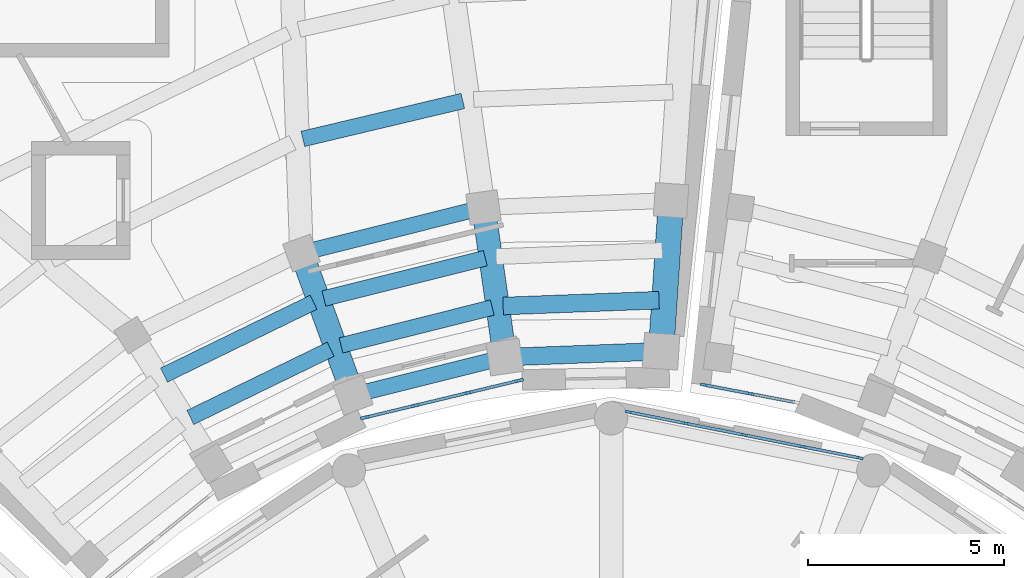
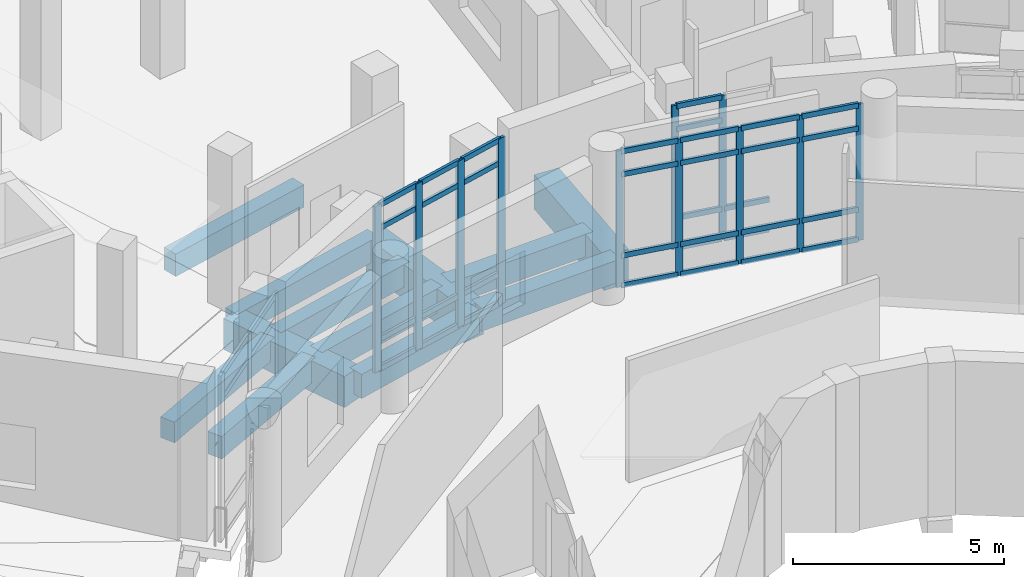
# One storey, part 15 of 49: 45 members, 12 beams, 3 elements without a shape of their own.
"""IFC4 building model written with IfcOpenShell, lengths in metres."""

import ifcopenshell
import ifcopenshell.guid

model = None  # the IFC model being written
_history = None  # IfcOwnerHistory: only IFC2X3 demands one
_inside = {}  # id of a spatial element -> (the spatial element, [elements in it])
_under = {}  # id of a project, library or spatial element -> (it, [spatial elements below it])
_declared = {}  # id of a project -> (the project, [libraries it declares])
_typed = {}  # id of a type object -> (the type object, [elements of that type])
_made_of = {}  # id of a material, layer set ... -> (it, [elements and type objects made of it])


def new_model(schema):
    """Start an empty IFC model of exactly this schema.

    Asked for "IFC4X3", IfcOpenShell would pick the latest addendum, in which some entities
    have other attributes; the version numbers below select the first issue.
    IFC2X3 requires an IfcOwnerHistory on every rooted entity: one is made here for all.
    """
    global model, _history
    if schema == "IFC4X3":
        model = ifcopenshell.file(schema_version=(4, 3, 0, 0))
    else:
        model = ifcopenshell.file(schema=schema)
    _inside.clear()
    _under.clear()
    _declared.clear()
    _typed.clear()
    _made_of.clear()
    _history = None
    if model.schema == "IFC2X3":
        org = make("IfcOrganization", Name="unknown")
        user = make(
            "IfcPersonAndOrganization",
            ThePerson=make("IfcPerson", FamilyName="unknown"),
            TheOrganization=org,
        )
        app = make(
            "IfcApplication",
            ApplicationDeveloper=org,
            Version="unknown",
            ApplicationFullName="unknown",
            ApplicationIdentifier="unknown",
        )
        _history = make(
            "IfcOwnerHistory",
            OwningUser=user,
            OwningApplication=app,
            ChangeAction="ADDED",
            CreationDate=0,
        )
    return model


def make(cls, **values):
    """One entity of the class cls with the attributes given. An attribute that is None is left unset."""
    return model.create_entity(
        cls, **{name: value for name, value in values.items() if value is not None}
    )


def rooted(cls, **values):
    """An entity with a GlobalId (a new one), such as an element, a storey or a relation."""
    return make(cls, GlobalId=ifcopenshell.guid.new(), OwnerHistory=_history, **values)


def si_unit(unit_type, name, prefix=None):
    """IfcSIUnit, for example si_unit("LENGTHUNIT", "METRE", prefix="MILLI")."""
    return make("IfcSIUnit", UnitType=unit_type, Prefix=prefix, Name=name)


def assignment(units):
    """IfcUnitAssignment: the units of a project."""
    return None if units is None else make("IfcUnitAssignment", Units=units)


def point(xyz):
    """IfcCartesianPoint."""
    return None if xyz is None else make("IfcCartesianPoint", Coordinates=xyz)


def direction(xyz):
    """IfcDirection."""
    return None if xyz is None else make("IfcDirection", DirectionRatios=xyz)


def frame(location, z_axis=None, x_axis=None):
    """IfcAxis2Placement3D, a coordinate frame: its origin and axes. An axis left out is left unset."""
    return make(
        "IfcAxis2Placement3D",
        Location=point(location),
        Axis=direction(z_axis),
        RefDirection=direction(x_axis),
    )


def frame_2d(location, x_axis=None):
    """IfcAxis2Placement2D, a coordinate frame in the plane: its origin and x axis."""
    return make(
        "IfcAxis2Placement2D", Location=point(location), RefDirection=direction(x_axis)
    )


def origin():
    """The frame at (0, 0, 0) with its axes left unset."""
    return frame((0.0, 0.0, 0.0))


def origin_2d():
    """The frame at (0, 0) in the plane with its x axis left unset."""
    return frame_2d((0.0, 0.0))


def place(relative_to, where):
    """IfcLocalPlacement: puts the frame where relative to a parent placement (None: the world)."""
    return make(
        "IfcLocalPlacement", PlacementRelTo=relative_to, RelativePlacement=where
    )


def context(
    kind, dimensions, precision=None, world=None, true_north=None, identifier=None
):
    """IfcGeometricRepresentationContext, for example the 3D "Model" context."""
    return make(
        "IfcGeometricRepresentationContext",
        ContextIdentifier=identifier,
        ContextType=kind,
        CoordinateSpaceDimension=dimensions,
        Precision=precision,
        WorldCoordinateSystem=world,
        TrueNorth=true_north,
    )


def subcontext(parent, identifier, kind, view, scale=None):
    """IfcGeometricRepresentationSubContext, for example "Body" below "Model"."""
    return make(
        "IfcGeometricRepresentationSubContext",
        ContextIdentifier=identifier,
        ContextType=kind,
        ParentContext=parent,
        TargetScale=scale,
        TargetView=view,
    )


def project(units=None, contexts=None):
    """IfcProject with its units and contexts."""
    return rooted(
        "IfcProject",
        Name="project",
        RepresentationContexts=contexts,
        UnitsInContext=assignment(units),
    )


def spatial(cls, under=None, at=None, **own):
    """A site, building, storey or space (cls), placed at a placement, below another one or the project."""
    s = rooted(cls, ObjectPlacement=at, **own)
    if under is not None:
        _under.setdefault(under.id(), (under, []))[1].append(s)
    return s


def profile(cls, at=None, kind="AREA", **sizes):
    """A parametric profile (cls). Its sizes go by their IFC names, for example OverallWidth=200.0."""
    return make(cls, ProfileType=kind, Position=at, **sizes)


def rectangle(**sizes):
    """IfcRectangleProfileDef."""
    return profile("IfcRectangleProfileDef", **sizes)


def extrude(swept, where, along, depth):
    """IfcExtrudedAreaSolid: the profile swept, set in the frame where, extruded along a direction by depth."""
    return make(
        "IfcExtrudedAreaSolid",
        SweptArea=swept,
        Position=where,
        ExtrudedDirection=direction(along),
        Depth=depth,
    )


def shape(context_of_items, identifier, shape_type, items):
    """IfcShapeRepresentation: the items that make up one representation, for example the "Body"."""
    return make(
        "IfcShapeRepresentation",
        ContextOfItems=context_of_items,
        RepresentationIdentifier=identifier,
        RepresentationType=shape_type,
        Items=items,
    )


def material(Name=None, Category=None):
    """IfcMaterial."""
    return make("IfcMaterial", Name=Name, Category=Category)


def material_profile(
    of_material, cross_section, Name=None, Category=None, Priority=None
):
    """IfcMaterialProfile: a cross section and its material."""
    return make(
        "IfcMaterialProfile",
        Name=Name,
        Material=of_material,
        Profile=cross_section,
        Priority=Priority,
        Category=Category,
    )


def profile_set(profiles, Name=None, composite=None):
    """IfcMaterialProfileSet."""
    return make(
        "IfcMaterialProfileSet",
        Name=Name,
        MaterialProfiles=profiles,
        CompositeProfile=composite,
    )


def made_of(thing, what):
    """Note that an element or type object is made of a material, layer set ...; save() writes the relation."""
    if what is not None:
        _made_of.setdefault(what.id(), (what, []))[1].append(thing)
    return thing


def type_object(cls, material=None, **own):
    """A type object (cls), such as IfcWallType, which elements share."""
    return made_of(rooted(cls, **own), material)


def element(
    cls,
    number,
    at=None,
    inside=None,
    cuts=None,
    type_object=None,
    material=None,
    context=None,
    identifier="Body",
    shape_type=None,
    held_by="IfcProductDefinitionShape",
    body=None,
    shapes=None,
    **own,
):
    """One element of the class cls, such as IfcWall. Its Tag is "e" and its number.

    at: its placement. inside: the storey or other place that contains it. cuts: it is an
    opening in that element (IfcRelVoidsElement). A single representation is given by context,
    identifier, shape_type and body (its items); several are given by shapes. held_by: the class
    of the entity that holds the representations. save() writes the other relations.
    """
    e = rooted(cls, Tag="e%d" % number, ObjectPlacement=at, **own)
    if body is not None:
        shapes = [shape(context, identifier, shape_type, body)]
    if shapes is not None:
        e.Representation = make(held_by, Representations=shapes)
    if inside is not None:
        _inside.setdefault(inside.id(), (inside, []))[1].append(e)
    if cuts is not None:
        rooted(
            "IfcRelVoidsElement", RelatingBuildingElement=cuts, RelatedOpeningElement=e
        )
    if type_object is not None:
        _typed.setdefault(type_object.id(), (type_object, []))[1].append(e)
    return made_of(e, material)


def aggregate(whole, parts):
    """IfcRelAggregates: a whole, such as a stair, and the parts it consists of."""
    return rooted("IfcRelAggregates", RelatingObject=whole, RelatedObjects=parts)


def save(model, path):
    """Write the relations noted so far, then the file.

    IfcRelAggregates (storeys below a building ...), IfcRelContainedInSpatialStructure (elements
    in a storey), IfcRelDefinesByType, IfcRelAssociatesMaterial and IfcRelDeclares: one each for
    every whole, place, type object, material and project.
    """
    for whole, parts in _under.values():
        aggregate(whole, parts)
    for where, things in _inside.values():
        rooted(
            "IfcRelContainedInSpatialStructure",
            RelatedElements=things,
            RelatingStructure=where,
        )
    for kind, things in _typed.values():
        rooted("IfcRelDefinesByType", RelatedObjects=things, RelatingType=kind)
    for what, things in _made_of.values():
        rooted("IfcRelAssociatesMaterial", RelatedObjects=things, RelatingMaterial=what)
    for by, libraries in _declared.values():
        rooted("IfcRelDeclares", RelatingContext=by, RelatedDefinitions=libraries)
    model.write(path)


model = new_model("IFC4")

# Units and contexts
model_context = context("Model", 3, precision=1e-05, world=origin(), true_north=direction((0.0, 1.0)))
body_context = subcontext(model_context, "Body", "Model", "MODEL_VIEW")
ifc_project = project(units=[si_unit("LENGTHUNIT", "METRE"), si_unit("AREAUNIT", "SQUARE_METRE"), si_unit("VOLUMEUNIT", "CUBIC_METRE"), si_unit("PLANEANGLEUNIT", "RADIAN"), si_unit("MASSUNIT", "GRAM", prefix="KILO")], contexts=[model_context])

# Site, building, storey
site_placement = place(None, origin())
site = spatial("IfcSite", under=ifc_project, at=site_placement, CompositionType="ELEMENT")
building_placement = place(site_placement, origin())
building = spatial("IfcBuilding", under=site, at=building_placement, Name="Soyqirgoq Riverine Aquarium", CompositionType="ELEMENT")
storey_placement = place(building_placement, frame((0.0, 0.0, 15.0)))
storey = spatial("IfcBuildingStorey", under=building, at=storey_placement, Name="L04", CompositionType="ELEMENT", Elevation=15.0)

# Beams
ifc_material_1 = material(Name="Concrete C40/50", Category="concrete")
ifc_material_profile_1 = material_profile(ifc_material_1, rectangle(XDim=0.39990234375, YDim=0.60009765625, at=origin_2d()), Name="RC 400x600")
ifc_profile_set_1 = profile_set([ifc_material_profile_1], Name="Concrete C40/50")
beam_type_1 = type_object("IfcBeamType", Name="Beam_RC_400x600", PredefinedType="JOIST", material=ifc_profile_set_1)
beam_1_placement = place(storey_placement, frame((48.425048828125, 77.40478515625, -0.580078125), z_axis=(-0.899182988599, -0.437572797388, 0.0), x_axis=(0.437572797388, -0.899182988599, 0.0)))
element("IfcBeam", 1, at=beam_1_placement, inside=storey, type_object=beam_type_1, Name="V4 L04 Secondary Floor Joist 0705", PredefinedType="JOIST", context=body_context, shape_type="SweptSolid", body=[
    extrude(rectangle(XDim=0.39990234375, YDim=0.60009765625, at=origin_2d()), origin(), (0.0, 0.0, 1.0), 4.2353515625),
])
ifc_material_2 = material(Name="Concrete C40/50", Category="concrete")
ifc_material_profile_2 = material_profile(ifc_material_2, rectangle(XDim=0.39990234375, YDim=0.64990234375, at=origin_2d()), Name="RC 400x650")
ifc_profile_set_2 = profile_set([ifc_material_profile_2], Name="Concrete C40/50")
beam_type_2 = type_object("IfcBeamType", Name="Beam_RC_400x650", PredefinedType="BEAM", material=ifc_profile_set_2)
beam_2_placement = place(storey_placement, frame((52.79541015625, 78.5283203125, -0.60498046875), z_axis=(-0.970078041124, -0.242793315658, 0.0), x_axis=(0.242793315658, -0.970078041124, 0.0)))
element("IfcBeam", 2, at=beam_2_placement, inside=storey, type_object=beam_type_2, Name="V4 L04 Secondary Floor Joist 0703", PredefinedType="BEAM", context=body_context, shape_type="SweptSolid", body=[
    extrude(rectangle(XDim=0.39990234375, YDim=0.64990234375, at=origin_2d()), origin(), (0.0, 0.0, 1.0), 4.2353515625),
])
beam_3_placement = place(storey_placement, frame((48.859619140625, 76.2109375, -0.60498046875), z_axis=(-0.899182148298, -0.437574524146, 0.0), x_axis=(0.437574524146, -0.899182148298, 0.0)))
element("IfcBeam", 3, at=beam_3_placement, inside=storey, type_object=beam_type_2, Name="V4 L04 Secondary Floor Joist 0704", PredefinedType="BEAM", context=body_context, shape_type="SweptSolid", body=[
    extrude(rectangle(XDim=0.39990234375, YDim=0.64990234375, at=origin_2d()), origin(), (0.0, 0.0, 1.0), 3.971923828125),
])
beam_4_placement = place(storey_placement, frame((52.70361328125, 79.807861328125, -0.60498046875), z_axis=(-0.970090297051, -0.242744341987, 0.0), x_axis=(0.242744341987, -0.970090297051, 0.0)))
element("IfcBeam", 4, at=beam_4_placement, inside=storey, type_object=beam_type_2, Name="V4 L04 Wedge Chord Beam 0709", PredefinedType="BEAM", context=body_context, shape_type="SweptSolid", body=[
    extrude(rectangle(XDim=0.39990234375, YDim=0.64990234375, at=origin_2d()), origin(), (0.0, 0.0, 1.0), 4.6787109375),
])
beam_5_placement = place(storey_placement, frame((52.2255859375, 82.531005859375, -0.60498046875), z_axis=(-0.973004184132, -0.230787472931, 0.0), x_axis=(0.230787472931, -0.973004184132, 0.0)))
element("IfcBeam", 5, at=beam_5_placement, inside=storey, type_object=beam_type_2, Name="V4 L04 Secondary Floor Joist 0714", PredefinedType="BEAM", context=body_context, shape_type="SweptSolid", body=[
    extrude(rectangle(XDim=0.39990234375, YDim=0.64990234375, at=origin_2d()), origin(), (0.0, 0.0, 1.0), 4.18701171875),
])
ifc_material_3 = material(Name="Concrete C40/50", Category="concrete")
ifc_material_profile_3 = material_profile(ifc_material_3, rectangle(XDim=0.39990234375, YDim=0.699951171875, at=origin_2d()), Name="RC 400x700")
ifc_profile_set_3 = profile_set([ifc_material_profile_3], Name="Concrete C40/50")
beam_type_3 = type_object("IfcBeamType", Name="Beam_RC_400x700", PredefinedType="BEAM", material=ifc_profile_set_3)
beam_6_placement = place(storey_placement, frame((53.24609375, 75.996337890625, -0.6298828125), z_axis=(-0.970079552948, -0.242787275104, 0.0), x_axis=(0.242787275104, -0.970079552948, 0.0)))
element("IfcBeam", 6, at=beam_6_placement, inside=storey, type_object=beam_type_3, Name="V4 L04 Wedge Chord Beam 0697", PredefinedType="BEAM", context=body_context, shape_type="SweptSolid", body=[
    extrude(rectangle(XDim=0.39990234375, YDim=0.699951171875, at=origin_2d()), origin(), (0.0, 0.0, 1.0), 3.880615234375),
])
beam_7_placement = place(storey_placement, frame((52.974365234375, 77.2705078125, -0.6298828125), z_axis=(-0.970077382162, -0.24279594852, 0.0), x_axis=(0.24279594852, -0.970077382162, 0.0)))
element("IfcBeam", 7, at=beam_7_placement, inside=storey, type_object=beam_type_3, Name="V4 L04 Secondary Floor Joist 0702", PredefinedType="BEAM", context=body_context, shape_type="SweptSolid", body=[
    extrude(rectangle(XDim=0.39990234375, YDim=0.699951171875, at=origin_2d()), origin(), (0.0, 0.0, 1.0), 3.971923828125),
])
ifc_material_4 = material(Name="Concrete C40/50", Category="concrete")
ifc_material_profile_4 = material_profile(ifc_material_4, rectangle(XDim=0.449951171875, YDim=0.64990234375, at=origin_2d()), Name="RC 450x650")
ifc_profile_set_4 = profile_set([ifc_material_profile_4], Name="Concrete C40/50")
beam_type_4 = type_object("IfcBeamType", Name="Beam_RC_450x650", PredefinedType="BEAM", material=ifc_profile_set_4)
beam_8_placement = place(storey_placement, frame((57.222412109375, 76.156005859375, -0.60498046875), z_axis=(-0.999296702447, -0.037498006337, 0.0), x_axis=(0.037498006337, -0.999296702447, 0.0)))
element("IfcBeam", 8, at=beam_8_placement, inside=storey, type_object=beam_type_4, Name="V4 L04 Wedge Chord Beam 0696", PredefinedType="BEAM", context=body_context, shape_type="SweptSolid", body=[
    extrude(rectangle(XDim=0.449951171875, YDim=0.64990234375, at=origin_2d()), origin(), (0.0, 0.0, 1.0), 3.88037109375),
])
beam_9_placement = place(storey_placement, frame((57.21923828125, 77.458740234375, -0.60498046875), z_axis=(-0.999296781045, -0.037495911696, 0.0), x_axis=(0.037495911696, -0.999296781045, 0.0)))
element("IfcBeam", 9, at=beam_9_placement, inside=storey, type_object=beam_type_4, Name="V4 L04 Secondary Floor Joist 0700", PredefinedType="BEAM", context=body_context, shape_type="SweptSolid", body=[
    extrude(rectangle(XDim=0.449951171875, YDim=0.64990234375, at=origin_2d()), origin(), (0.0, 0.0, 1.0), 3.9716796875),
])

# Curtain wall, members
ifc_material_5 = material(Name="Anodised aluminium thermally broken triple low-E glazing", Category="aluminium")
curtain_wall_type_1 = type_object("IfcCurtainWallType", Name="CW_DrumGallery_Unitised", PredefinedType="NOTDEFINED", material=ifc_material_5)
curtain_wall_1_placement = place(storey_placement, origin())
curtain_wall_1 = element("IfcCurtainWall", 10, at=curtain_wall_1_placement, inside=storey, type_object=curtain_wall_type_1, Name="V1 L04 Curtain Wall 015", PredefinedType="NOTDEFINED")
ifc_material_6 = material(Name="Anodised aluminium 6063-T6", Category="aluminium")
ifc_material_profile_5 = material_profile(ifc_material_6, rectangle(XDim=0.06494140625, YDim=0.179931640625, at=origin_2d()), Name="ALU-M 65x180")
ifc_profile_set_5 = profile_set([ifc_material_profile_5], Name="Anodised aluminium 6063-T6")
member_type_1 = type_object("IfcMemberType", Name="CWMullion_65x180", PredefinedType="MULLION", material=ifc_profile_set_5)
member_1_placement = place(storey_placement, frame((62.32958984375, 73.44091796875, 0.0), z_axis=(0.0, 0.0, 1.0), x_axis=(-0.195101560405, -0.980783044882, 0.0)))
member_1 = element("IfcMember", 11, at=member_1_placement, type_object=member_type_1, Name="CW-01 mullion 1", PredefinedType="MULLION", context=body_context, shape_type="SweptSolid", body=[
    extrude(rectangle(XDim=0.06494140625, YDim=0.179931640625, at=origin_2d()), origin(), (0.0, 0.0, 1.0), 3.949951171875),
])
member_2_placement = place(storey_placement, frame((60.8740234375, 73.73046875, 0.0), z_axis=(0.0, 0.0, 1.0), x_axis=(-0.195101560405, -0.980783044882, 0.0)))
member_2 = element("IfcMember", 12, at=member_2_placement, type_object=member_type_1, Name="CW-01 mullion 2", PredefinedType="MULLION", context=body_context, shape_type="SweptSolid", body=[
    extrude(rectangle(XDim=0.06494140625, YDim=0.179931640625, at=origin_2d()), origin(), (0.0, 0.0, 1.0), 3.949951171875),
])
member_3_placement = place(storey_placement, frame((59.38671875, 74.0263671875, 0.0), z_axis=(0.0, 0.0, 1.0), x_axis=(-0.195101560405, -0.980783044882, 0.0)))
member_3 = element("IfcMember", 13, at=member_3_placement, type_object=member_type_1, Name="CW-01 mullion 3", PredefinedType="MULLION", context=body_context, shape_type="SweptSolid", body=[
    extrude(rectangle(XDim=0.06494140625, YDim=0.179931640625, at=origin_2d()), origin(), (0.0, 0.0, 1.0), 3.949951171875),
])
member_4_placement = place(storey_placement, frame((57.8994140625, 74.322265625, 0.0), z_axis=(0.0, 0.0, 1.0), x_axis=(-0.195101560405, -0.980783044882, 0.0)))
member_4 = element("IfcMember", 14, at=member_4_placement, type_object=member_type_1, Name="CW-01 mullion 4", PredefinedType="MULLION", context=body_context, shape_type="SweptSolid", body=[
    extrude(rectangle(XDim=0.06494140625, YDim=0.179931640625, at=origin_2d()), origin(), (0.0, 0.0, 1.0), 3.949951171875),
])
member_5_placement = place(storey_placement, frame((56.44384765625, 74.61181640625, 0.0), z_axis=(0.0, 0.0, 1.0), x_axis=(-0.195101560405, -0.980783044882, 0.0)))
member_5 = element("IfcMember", 15, at=member_5_placement, type_object=member_type_1, Name="CW-01 mullion 5", PredefinedType="MULLION", context=body_context, shape_type="SweptSolid", body=[
    extrude(rectangle(XDim=0.06494140625, YDim=0.179931640625, at=origin_2d()), origin(), (0.0, 0.0, 1.0), 3.949951171875),
])

ifc_material_7 = material(Name="Anodised aluminium thermally broken double low-E glazing", Category="aluminium")
curtain_wall_type_2 = type_object("IfcCurtainWallType", Name="CW_Wedge_NorthBay", PredefinedType="NOTDEFINED", material=ifc_material_7)
curtain_wall_2_placement = place(storey_placement, origin())
curtain_wall_2 = element("IfcCurtainWall", 16, at=curtain_wall_2_placement, inside=storey, type_object=curtain_wall_type_2, Name="V5 L04 Curtain Wall 100", PredefinedType="NOTDEFINED")
member_6_placement = place(storey_placement, frame((59.533935546875, 75.0791015625, 0.0), z_axis=(0.0, 0.0, 1.0), x_axis=(-0.187684047551, -0.982229452977, 0.0)))
member_6 = element("IfcMember", 17, at=member_6_placement, type_object=member_type_1, Name="CW-03 mullion 2", PredefinedType="MULLION", context=body_context, shape_type="SweptSolid", body=[
    extrude(rectangle(XDim=0.06494140625, YDim=0.179931640625, at=origin_2d()), origin(), (0.0, 0.0, 1.0), 4.169921875),
])
member_7_placement = place(storey_placement, frame((58.3583984375, 75.3037109375, 0.0), z_axis=(0.0, 0.0, 1.0), x_axis=(-0.187684047551, -0.982229452977, 0.0)))
member_7 = element("IfcMember", 18, at=member_7_placement, type_object=member_type_1, Name="CW-03 mullion 3", PredefinedType="MULLION", context=body_context, shape_type="SweptSolid", body=[
    extrude(rectangle(XDim=0.06494140625, YDim=0.179931640625, at=origin_2d()), origin(), (0.0, 0.0, 1.0), 4.169921875),
])

curtain_wall_3_placement = place(storey_placement, origin())
curtain_wall_3 = element("IfcCurtainWall", 19, at=curtain_wall_3_placement, inside=storey, type_object=curtain_wall_type_2, Name="V4 L04 Curtain Wall 092", PredefinedType="NOTDEFINED")
ifc_material_8 = material(Name="Anodised aluminium 6063-T6", Category="aluminium")
ifc_material_profile_6 = material_profile(ifc_material_8, rectangle(XDim=0.080078125, YDim=0.219970703125, at=origin_2d()), Name="ALU-M 80x220")
ifc_profile_set_6 = profile_set([ifc_material_profile_6], Name="Anodised aluminium 6063-T6")
member_type_2 = type_object("IfcMemberType", Name="CWMullion_80x220", PredefinedType="MULLION", material=ifc_profile_set_6)
member_8_placement = place(storey_placement, frame((53.658935546875, 75.4130859375, 0.0), z_axis=(0.0, 0.0, 1.0), x_axis=(0.233442646008, -0.972370572891, 0.0)))
member_8 = element("IfcMember", 20, at=member_8_placement, type_object=member_type_2, Name="CW-03 mullion 1", PredefinedType="MULLION", context=body_context, shape_type="SweptSolid", body=[
    extrude(rectangle(XDim=0.080078125, YDim=0.219970703125, at=origin_2d()), origin(), (0.0, 0.0, 1.0), 4.81005859375),
])
member_9_placement = place(storey_placement, frame((52.361083984375, 75.1015625, 0.0), z_axis=(0.0, 0.0, 1.0), x_axis=(0.233442646008, -0.972370572891, 0.0)))
member_9 = element("IfcMember", 21, at=member_9_placement, type_object=member_type_2, Name="CW-03 mullion 2", PredefinedType="MULLION", context=body_context, shape_type="SweptSolid", body=[
    extrude(rectangle(XDim=0.080078125, YDim=0.219970703125, at=origin_2d()), origin(), (0.0, 0.0, 1.0), 4.81005859375),
])
member_10_placement = place(storey_placement, frame((51.0244140625, 74.780517578125, 0.0), z_axis=(0.0, 0.0, 1.0), x_axis=(0.233442646008, -0.972370572891, 0.0)))
member_10 = element("IfcMember", 22, at=member_10_placement, type_object=member_type_2, Name="CW-03 mullion 3", PredefinedType="MULLION", context=body_context, shape_type="SweptSolid", body=[
    extrude(rectangle(XDim=0.080078125, YDim=0.219970703125, at=origin_2d()), origin(), (0.0, 0.0, 1.0), 4.81005859375),
])
member_11_placement = place(storey_placement, frame((49.726318359375, 74.468994140625, 0.0), z_axis=(0.0, 0.0, 1.0), x_axis=(0.233442646008, -0.972370572891, 0.0)))
member_11 = element("IfcMember", 23, at=member_11_placement, type_object=member_type_2, Name="CW-03 mullion 4", PredefinedType="MULLION", context=body_context, shape_type="SweptSolid", body=[
    extrude(rectangle(XDim=0.080078125, YDim=0.219970703125, at=origin_2d()), origin(), (0.0, 0.0, 1.0), 4.81005859375),
])

# Member
ifc_material_9 = material(Name="Anodised aluminium 6063-T6", Category="aluminium")
ifc_material_profile_7 = material_profile(ifc_material_9, rectangle(XDim=0.074951171875, YDim=0.14990234375, at=origin_2d()), Name="ALU-T 75x150")
ifc_profile_set_7 = profile_set([ifc_material_profile_7], Name="Anodised aluminium 6063-T6")
member_type_3 = type_object("IfcMemberType", Name="CWTransom_75x150", PredefinedType="USERDEFINED", material=ifc_profile_set_7)
member_12_placement = place(storey_placement, frame((62.2978515625, 73.447265625, 0.03759765625), z_axis=(-0.980785260864, 0.195090420246, 0.0), x_axis=(-0.195090420246, -0.980785260864, 0.0)))
member_12 = element("IfcMember", 24, at=member_12_placement, type_object=member_type_3, Name="CW-01 transom 1.1", ObjectType="TRANSOM", PredefinedType="USERDEFINED", context=body_context, shape_type="SweptSolid", body=[
    extrude(rectangle(XDim=0.074951171875, YDim=0.14990234375, at=origin_2d()), origin(), (0.0, 0.0, 1.0), 1.419189453125),
])

member_13_placement = place(storey_placement, frame((62.2978515625, 73.447265625, 0.89990234375), z_axis=(-0.980785260864, 0.195090420246, 0.0), x_axis=(-0.195090420246, -0.980785260864, 0.0)))
member_13 = element("IfcMember", 25, at=member_13_placement, type_object=member_type_3, Name="CW-01 transom 1.2", ObjectType="TRANSOM", PredefinedType="USERDEFINED", context=body_context, shape_type="SweptSolid", body=[
    extrude(rectangle(XDim=0.074951171875, YDim=0.14990234375, at=origin_2d()), origin(), (0.0, 0.0, 1.0), 1.419189453125),
])

member_14_placement = place(storey_placement, frame((62.2978515625, 73.447265625, 3.25), z_axis=(-0.980785260864, 0.195090420246, 0.0), x_axis=(-0.195090420246, -0.980785260864, 0.0)))
member_14 = element("IfcMember", 26, at=member_14_placement, type_object=member_type_3, Name="CW-01 transom 1.3", ObjectType="TRANSOM", PredefinedType="USERDEFINED", context=body_context, shape_type="SweptSolid", body=[
    extrude(rectangle(XDim=0.074951171875, YDim=0.14990234375, at=origin_2d()), origin(), (0.0, 0.0, 1.0), 1.419189453125),
])

member_15_placement = place(storey_placement, frame((62.2978515625, 73.447265625, 3.91259765625), z_axis=(-0.980785260864, 0.195090420246, 0.0), x_axis=(-0.195090420246, -0.980785260864, 0.0)))
member_15 = element("IfcMember", 27, at=member_15_placement, type_object=member_type_3, Name="CW-01 transom 1.4", ObjectType="TRANSOM", PredefinedType="USERDEFINED", context=body_context, shape_type="SweptSolid", body=[
    extrude(rectangle(XDim=0.074951171875, YDim=0.14990234375, at=origin_2d()), origin(), (0.0, 0.0, 1.0), 1.419189453125),
])

member_16_placement = place(storey_placement, frame((60.84228515625, 73.73681640625, 0.03759765625), z_axis=(-0.980780710478, 0.195113295173, 0.0), x_axis=(-0.195113295173, -0.980780710478, 0.0)))
member_16 = element("IfcMember", 28, at=member_16_placement, type_object=member_type_3, Name="CW-01 transom 2.1", ObjectType="TRANSOM", PredefinedType="USERDEFINED", context=body_context, shape_type="SweptSolid", body=[
    extrude(rectangle(XDim=0.074951171875, YDim=0.14990234375, at=origin_2d()), origin(), (0.0, 0.0, 1.0), 1.451416015625),
])

member_17_placement = place(storey_placement, frame((60.84228515625, 73.73681640625, 0.89990234375), z_axis=(-0.980780710478, 0.195113295173, 0.0), x_axis=(-0.195113295173, -0.980780710478, 0.0)))
member_17 = element("IfcMember", 29, at=member_17_placement, type_object=member_type_3, Name="CW-01 transom 2.2", ObjectType="TRANSOM", PredefinedType="USERDEFINED", context=body_context, shape_type="SweptSolid", body=[
    extrude(rectangle(XDim=0.074951171875, YDim=0.14990234375, at=origin_2d()), origin(), (0.0, 0.0, 1.0), 1.451416015625),
])

member_18_placement = place(storey_placement, frame((60.84228515625, 73.73681640625, 3.25), z_axis=(-0.980780710478, 0.195113295173, 0.0), x_axis=(-0.195113295173, -0.980780710478, 0.0)))
member_18 = element("IfcMember", 30, at=member_18_placement, type_object=member_type_3, Name="CW-01 transom 2.3", ObjectType="TRANSOM", PredefinedType="USERDEFINED", context=body_context, shape_type="SweptSolid", body=[
    extrude(rectangle(XDim=0.074951171875, YDim=0.14990234375, at=origin_2d()), origin(), (0.0, 0.0, 1.0), 1.451416015625),
])

member_19_placement = place(storey_placement, frame((60.84228515625, 73.73681640625, 3.91259765625), z_axis=(-0.980780710478, 0.195113295173, 0.0), x_axis=(-0.195113295173, -0.980780710478, 0.0)))
member_19 = element("IfcMember", 31, at=member_19_placement, type_object=member_type_3, Name="CW-01 transom 2.4", ObjectType="TRANSOM", PredefinedType="USERDEFINED", context=body_context, shape_type="SweptSolid", body=[
    extrude(rectangle(XDim=0.074951171875, YDim=0.14990234375, at=origin_2d()), origin(), (0.0, 0.0, 1.0), 1.451416015625),
])

member_20_placement = place(storey_placement, frame((59.35498046875, 74.03271484375, 0.03759765625), z_axis=(-0.980787112176, 0.195081112847, 0.0), x_axis=(-0.195081112847, -0.980787112176, 0.0)))
member_20 = element("IfcMember", 32, at=member_20_placement, type_object=member_type_3, Name="CW-01 transom 3.1", ObjectType="TRANSOM", PredefinedType="USERDEFINED", context=body_context, shape_type="SweptSolid", body=[
    extrude(rectangle(XDim=0.074951171875, YDim=0.14990234375, at=origin_2d()), origin(), (0.0, 0.0, 1.0), 1.45166015625),
])

member_21_placement = place(storey_placement, frame((59.35498046875, 74.03271484375, 0.89990234375), z_axis=(-0.980787112176, 0.195081112847, 0.0), x_axis=(-0.195081112847, -0.980787112176, 0.0)))
member_21 = element("IfcMember", 33, at=member_21_placement, type_object=member_type_3, Name="CW-01 transom 3.2", ObjectType="TRANSOM", PredefinedType="USERDEFINED", context=body_context, shape_type="SweptSolid", body=[
    extrude(rectangle(XDim=0.074951171875, YDim=0.14990234375, at=origin_2d()), origin(), (0.0, 0.0, 1.0), 1.45166015625),
])

member_22_placement = place(storey_placement, frame((59.35498046875, 74.03271484375, 3.25), z_axis=(-0.980787112176, 0.195081112847, 0.0), x_axis=(-0.195081112847, -0.980787112176, 0.0)))
member_22 = element("IfcMember", 34, at=member_22_placement, type_object=member_type_3, Name="CW-01 transom 3.3", ObjectType="TRANSOM", PredefinedType="USERDEFINED", context=body_context, shape_type="SweptSolid", body=[
    extrude(rectangle(XDim=0.074951171875, YDim=0.14990234375, at=origin_2d()), origin(), (0.0, 0.0, 1.0), 1.45166015625),
])

member_23_placement = place(storey_placement, frame((59.35498046875, 74.03271484375, 3.91259765625), z_axis=(-0.980787112176, 0.195081112847, 0.0), x_axis=(-0.195081112847, -0.980787112176, 0.0)))
member_23 = element("IfcMember", 35, at=member_23_placement, type_object=member_type_3, Name="CW-01 transom 3.4", ObjectType="TRANSOM", PredefinedType="USERDEFINED", context=body_context, shape_type="SweptSolid", body=[
    extrude(rectangle(XDim=0.074951171875, YDim=0.14990234375, at=origin_2d()), origin(), (0.0, 0.0, 1.0), 1.45166015625),
])

member_24_placement = place(storey_placement, frame((57.867431640625, 74.32861328125, 0.03759765625), z_axis=(-0.980778711416, 0.19512334364, 0.0), x_axis=(-0.19512334364, -0.980778711416, 0.0)))
member_24 = element("IfcMember", 36, at=member_24_placement, type_object=member_type_3, Name="CW-01 transom 4.1", ObjectType="TRANSOM", PredefinedType="USERDEFINED", context=body_context, shape_type="SweptSolid", body=[
    extrude(rectangle(XDim=0.074951171875, YDim=0.14990234375, at=origin_2d()), origin(), (0.0, 0.0, 1.0), 1.4189453125),
])

member_25_placement = place(storey_placement, frame((57.867431640625, 74.32861328125, 0.89990234375), z_axis=(-0.980778711416, 0.19512334364, 0.0), x_axis=(-0.19512334364, -0.980778711416, 0.0)))
member_25 = element("IfcMember", 37, at=member_25_placement, type_object=member_type_3, Name="CW-01 transom 4.2", ObjectType="TRANSOM", PredefinedType="USERDEFINED", context=body_context, shape_type="SweptSolid", body=[
    extrude(rectangle(XDim=0.074951171875, YDim=0.14990234375, at=origin_2d()), origin(), (0.0, 0.0, 1.0), 1.4189453125),
])

member_26_placement = place(storey_placement, frame((57.867431640625, 74.32861328125, 3.25), z_axis=(-0.980778711416, 0.19512334364, 0.0), x_axis=(-0.19512334364, -0.980778711416, 0.0)))
member_26 = element("IfcMember", 38, at=member_26_placement, type_object=member_type_3, Name="CW-01 transom 4.3", ObjectType="TRANSOM", PredefinedType="USERDEFINED", context=body_context, shape_type="SweptSolid", body=[
    extrude(rectangle(XDim=0.074951171875, YDim=0.14990234375, at=origin_2d()), origin(), (0.0, 0.0, 1.0), 1.4189453125),
])

member_27_placement = place(storey_placement, frame((57.867431640625, 74.32861328125, 3.91259765625), z_axis=(-0.980778711416, 0.19512334364, 0.0), x_axis=(-0.19512334364, -0.980778711416, 0.0)))
member_27 = element("IfcMember", 39, at=member_27_placement, type_object=member_type_3, Name="CW-01 transom 4.4", ObjectType="TRANSOM", PredefinedType="USERDEFINED", context=body_context, shape_type="SweptSolid", body=[
    extrude(rectangle(XDim=0.074951171875, YDim=0.14990234375, at=origin_2d()), origin(), (0.0, 0.0, 1.0), 1.4189453125),
])

aggregate(curtain_wall_1, [member_1, member_2, member_3, member_4, member_5, member_12, member_13, member_14, member_15, member_16, member_17, member_18, member_19, member_20, member_21, member_22, member_23, member_24, member_25, member_26, member_27])

member_28_placement = place(storey_placement, frame((53.6201171875, 75.40380859375, 0.03759765625), z_axis=(-0.97236610633, -0.233461250019, 0.0), x_axis=(0.233461250019, -0.97236610633, 0.0)))
member_28 = element("IfcMember", 40, at=member_28_placement, type_object=member_type_3, Name="CW-03 transom 1.1", ObjectType="TRANSOM", PredefinedType="USERDEFINED", context=body_context, shape_type="SweptSolid", body=[
    extrude(rectangle(XDim=0.074951171875, YDim=0.14990234375, at=origin_2d()), origin(), (0.0, 0.0, 1.0), 1.2548828125),
])

member_29_placement = place(storey_placement, frame((53.6201171875, 75.40380859375, 0.89990234375), z_axis=(-0.97236610633, -0.233461250019, 0.0), x_axis=(0.233461250019, -0.97236610633, 0.0)))
member_29 = element("IfcMember", 41, at=member_29_placement, type_object=member_type_3, Name="CW-03 transom 1.2", ObjectType="TRANSOM", PredefinedType="USERDEFINED", context=body_context, shape_type="SweptSolid", body=[
    extrude(rectangle(XDim=0.074951171875, YDim=0.14990234375, at=origin_2d()), origin(), (0.0, 0.0, 1.0), 1.2548828125),
])

member_30_placement = place(storey_placement, frame((53.6201171875, 75.40380859375, 4.110107421875), z_axis=(-0.97236610633, -0.233461250019, 0.0), x_axis=(0.233461250019, -0.97236610633, 0.0)))
member_30 = element("IfcMember", 42, at=member_30_placement, type_object=member_type_3, Name="CW-03 transom 1.3", ObjectType="TRANSOM", PredefinedType="USERDEFINED", context=body_context, shape_type="SweptSolid", body=[
    extrude(rectangle(XDim=0.074951171875, YDim=0.14990234375, at=origin_2d()), origin(), (0.0, 0.0, 1.0), 1.2548828125),
])

member_31_placement = place(storey_placement, frame((53.6201171875, 75.40380859375, 4.7724609375), z_axis=(-0.97236610633, -0.233461250019, 0.0), x_axis=(0.233461250019, -0.97236610633, 0.0)))
member_31 = element("IfcMember", 43, at=member_31_placement, type_object=member_type_3, Name="CW-03 transom 1.4", ObjectType="TRANSOM", PredefinedType="USERDEFINED", context=body_context, shape_type="SweptSolid", body=[
    extrude(rectangle(XDim=0.074951171875, YDim=0.14990234375, at=origin_2d()), origin(), (0.0, 0.0, 1.0), 1.2548828125),
])

member_32_placement = place(storey_placement, frame((52.322265625, 75.09228515625, 0.03759765625), z_axis=(-0.972373608026, -0.233430003245, 0.0), x_axis=(0.233430003245, -0.972373608026, 0.0)))
member_32 = element("IfcMember", 44, at=member_32_placement, type_object=member_type_3, Name="CW-03 transom 2.1", ObjectType="TRANSOM", PredefinedType="USERDEFINED", context=body_context, shape_type="SweptSolid", body=[
    extrude(rectangle(XDim=0.074951171875, YDim=0.14990234375, at=origin_2d()), origin(), (0.0, 0.0, 1.0), 1.294921875),
])

member_33_placement = place(storey_placement, frame((52.322265625, 75.09228515625, 0.89990234375), z_axis=(-0.972373608026, -0.233430003245, 0.0), x_axis=(0.233430003245, -0.972373608026, 0.0)))
member_33 = element("IfcMember", 45, at=member_33_placement, type_object=member_type_3, Name="CW-03 transom 2.2", ObjectType="TRANSOM", PredefinedType="USERDEFINED", context=body_context, shape_type="SweptSolid", body=[
    extrude(rectangle(XDim=0.074951171875, YDim=0.14990234375, at=origin_2d()), origin(), (0.0, 0.0, 1.0), 1.294921875),
])

member_34_placement = place(storey_placement, frame((52.322265625, 75.09228515625, 4.110107421875), z_axis=(-0.972373608026, -0.233430003245, 0.0), x_axis=(0.233430003245, -0.972373608026, 0.0)))
member_34 = element("IfcMember", 46, at=member_34_placement, type_object=member_type_3, Name="CW-03 transom 2.3", ObjectType="TRANSOM", PredefinedType="USERDEFINED", context=body_context, shape_type="SweptSolid", body=[
    extrude(rectangle(XDim=0.074951171875, YDim=0.14990234375, at=origin_2d()), origin(), (0.0, 0.0, 1.0), 1.294921875),
])

member_35_placement = place(storey_placement, frame((52.322265625, 75.09228515625, 4.7724609375), z_axis=(-0.972373608026, -0.233430003245, 0.0), x_axis=(0.233430003245, -0.972373608026, 0.0)))
member_35 = element("IfcMember", 47, at=member_35_placement, type_object=member_type_3, Name="CW-03 transom 2.4", ObjectType="TRANSOM", PredefinedType="USERDEFINED", context=body_context, shape_type="SweptSolid", body=[
    extrude(rectangle(XDim=0.074951171875, YDim=0.14990234375, at=origin_2d()), origin(), (0.0, 0.0, 1.0), 1.294921875),
])

member_36_placement = place(storey_placement, frame((50.9853515625, 74.771240234375, 0.03759765625), z_axis=(-0.97235549948, -0.233505423129, 0.0), x_axis=(0.233505423129, -0.97235549948, 0.0)))
member_36 = element("IfcMember", 48, at=member_36_placement, type_object=member_type_3, Name="CW-03 transom 3.1", ObjectType="TRANSOM", PredefinedType="USERDEFINED", context=body_context, shape_type="SweptSolid", body=[
    extrude(rectangle(XDim=0.074951171875, YDim=0.14990234375, at=origin_2d()), origin(), (0.0, 0.0, 1.0), 1.254638671875),
])

member_37_placement = place(storey_placement, frame((50.9853515625, 74.771240234375, 0.89990234375), z_axis=(-0.97235549948, -0.233505423129, 0.0), x_axis=(0.233505423129, -0.97235549948, 0.0)))
member_37 = element("IfcMember", 49, at=member_37_placement, type_object=member_type_3, Name="CW-03 transom 3.2", ObjectType="TRANSOM", PredefinedType="USERDEFINED", context=body_context, shape_type="SweptSolid", body=[
    extrude(rectangle(XDim=0.074951171875, YDim=0.14990234375, at=origin_2d()), origin(), (0.0, 0.0, 1.0), 1.254638671875),
])

member_38_placement = place(storey_placement, frame((50.9853515625, 74.771240234375, 4.110107421875), z_axis=(-0.97235549948, -0.233505423129, 0.0), x_axis=(0.233505423129, -0.97235549948, 0.0)))
member_38 = element("IfcMember", 50, at=member_38_placement, type_object=member_type_3, Name="CW-03 transom 3.3", ObjectType="TRANSOM", PredefinedType="USERDEFINED", context=body_context, shape_type="SweptSolid", body=[
    extrude(rectangle(XDim=0.074951171875, YDim=0.14990234375, at=origin_2d()), origin(), (0.0, 0.0, 1.0), 1.254638671875),
])

member_39_placement = place(storey_placement, frame((50.9853515625, 74.771240234375, 4.7724609375), z_axis=(-0.97235549948, -0.233505423129, 0.0), x_axis=(0.233505423129, -0.97235549948, 0.0)))
member_39 = element("IfcMember", 51, at=member_39_placement, type_object=member_type_3, Name="CW-03 transom 3.4", ObjectType="TRANSOM", PredefinedType="USERDEFINED", context=body_context, shape_type="SweptSolid", body=[
    extrude(rectangle(XDim=0.074951171875, YDim=0.14990234375, at=origin_2d()), origin(), (0.0, 0.0, 1.0), 1.254638671875),
])

aggregate(curtain_wall_3, [member_8, member_9, member_10, member_11, member_28, member_29, member_30, member_31, member_32, member_33, member_34, member_35, member_36, member_37, member_38, member_39])

member_40_placement = place(storey_placement, frame((60.67724609375, 74.860595703125, 0.03759765625), z_axis=(-0.982228879819, 0.187687047099, 0.0), x_axis=(-0.187687047099, -0.982228879819, 0.0)))
member_40 = element("IfcMember", 52, at=member_40_placement, type_object=member_type_3, Name="CW-03 transom 1.1", ObjectType="TRANSOM", PredefinedType="USERDEFINED", context=body_context, shape_type="SweptSolid", body=[
    extrude(rectangle(XDim=0.074951171875, YDim=0.14990234375, at=origin_2d()), origin(), (0.0, 0.0, 1.0), 1.131591796875),
])

member_41_placement = place(storey_placement, frame((60.67724609375, 74.860595703125, 0.89990234375), z_axis=(-0.982228879819, 0.187687047099, 0.0), x_axis=(-0.187687047099, -0.982228879819, 0.0)))
member_41 = element("IfcMember", 53, at=member_41_placement, type_object=member_type_3, Name="CW-03 transom 1.2", ObjectType="TRANSOM", PredefinedType="USERDEFINED", context=body_context, shape_type="SweptSolid", body=[
    extrude(rectangle(XDim=0.074951171875, YDim=0.14990234375, at=origin_2d()), origin(), (0.0, 0.0, 1.0), 1.131591796875),
])

member_42_placement = place(storey_placement, frame((59.501953125, 75.085205078125, 0.03759765625), z_axis=(-0.982228879819, 0.187687047099, 0.0), x_axis=(-0.187687047099, -0.982228879819, 0.0)))
member_42 = element("IfcMember", 54, at=member_42_placement, type_object=member_type_3, Name="CW-03 transom 2.1", ObjectType="TRANSOM", PredefinedType="USERDEFINED", context=body_context, shape_type="SweptSolid", body=[
    extrude(rectangle(XDim=0.074951171875, YDim=0.14990234375, at=origin_2d()), origin(), (0.0, 0.0, 1.0), 1.131591796875),
])

member_43_placement = place(storey_placement, frame((59.501953125, 75.085205078125, 0.89990234375), z_axis=(-0.982228879819, 0.187687047099, 0.0), x_axis=(-0.187687047099, -0.982228879819, 0.0)))
member_43 = element("IfcMember", 55, at=member_43_placement, type_object=member_type_3, Name="CW-03 transom 2.2", ObjectType="TRANSOM", PredefinedType="USERDEFINED", context=body_context, shape_type="SweptSolid", body=[
    extrude(rectangle(XDim=0.074951171875, YDim=0.14990234375, at=origin_2d()), origin(), (0.0, 0.0, 1.0), 1.131591796875),
])

member_44_placement = place(storey_placement, frame((59.501953125, 75.085205078125, 3.469970703125), z_axis=(-0.982228879819, 0.187687047099, 0.0), x_axis=(-0.187687047099, -0.982228879819, 0.0)))
member_44 = element("IfcMember", 56, at=member_44_placement, type_object=member_type_3, Name="CW-03 transom 2.3", ObjectType="TRANSOM", PredefinedType="USERDEFINED", context=body_context, shape_type="SweptSolid", body=[
    extrude(rectangle(XDim=0.074951171875, YDim=0.14990234375, at=origin_2d()), origin(), (0.0, 0.0, 1.0), 1.131591796875),
])

member_45_placement = place(storey_placement, frame((59.501953125, 75.085205078125, 4.132568359375), z_axis=(-0.982228879819, 0.187687047099, 0.0), x_axis=(-0.187687047099, -0.982228879819, 0.0)))
member_45 = element("IfcMember", 57, at=member_45_placement, type_object=member_type_3, Name="CW-03 transom 2.4", ObjectType="TRANSOM", PredefinedType="USERDEFINED", context=body_context, shape_type="SweptSolid", body=[
    extrude(rectangle(XDim=0.074951171875, YDim=0.14990234375, at=origin_2d()), origin(), (0.0, 0.0, 1.0), 1.131591796875),
])

aggregate(curtain_wall_2, [member_6, member_7, member_40, member_41, member_42, member_43, member_44, member_45])

# Beams
ifc_material_10 = material(Name="Concrete C40/50", Category="concrete")
ifc_material_profile_8 = material_profile(ifc_material_10, rectangle(XDim=0.60009765625, YDim=1.0, at=origin_2d()), Name="RC 600x1000")
ifc_profile_set_8 = profile_set([ifc_material_profile_8], Name="Concrete C40/50")
beam_type_5 = type_object("IfcBeamType", Name="Girder_RC_600x1000", PredefinedType="BEAM", material=ifc_profile_set_8)
beam_10_placement = place(storey_placement, frame((53.28759765625, 76.05810546875, -0.780029296875), z_axis=(-0.140892663047, 0.990024877212, 0.0), x_axis=(-0.990024877212, -0.140892663047, 0.0)))
element("IfcBeam", 58, at=beam_10_placement, inside=storey, type_object=beam_type_5, Name="V4 L04 Wedge Radial Girder 0680", PredefinedType="BEAM", context=body_context, shape_type="SweptSolid", body=[
    extrude(rectangle(XDim=0.60009765625, YDim=1.0, at=origin_2d()), origin(), (0.0, 0.0, 1.0), 3.749755859375),
])
ifc_material_11 = material(Name="Concrete C40/50", Category="concrete")
ifc_material_profile_9 = material_profile(ifc_material_11, rectangle(XDim=0.60009765625, YDim=0.89990234375, at=origin_2d()), Name="RC 600x900")
ifc_profile_set_9 = profile_set([ifc_material_profile_9], Name="Concrete C40/50")
beam_type_6 = type_object("IfcBeamType", Name="Girder_RC_600x900", PredefinedType="BEAM", material=ifc_profile_set_9)
beam_11_placement = place(storey_placement, frame((49.416015625, 75.089111328125, -0.72998046875), z_axis=(-0.342009657388, 0.939696437289, 0.0), x_axis=(-0.939696437289, -0.342009657388, 0.0)))
element("IfcBeam", 59, at=beam_11_placement, inside=storey, type_object=beam_type_6, Name="V4 L04 Wedge Radial Girder 0684", PredefinedType="BEAM", context=body_context, shape_type="SweptSolid", body=[
    extrude(rectangle(XDim=0.60009765625, YDim=0.89990234375, at=origin_2d()), origin(), (0.0, 0.0, 1.0), 3.749755859375),
])
ifc_material_12 = material(Name="Concrete C40/50", Category="concrete")
ifc_material_profile_10 = material_profile(ifc_material_12, rectangle(XDim=0.64990234375, YDim=1.0, at=origin_2d()), Name="RC 650x1000")
ifc_profile_set_10 = profile_set([ifc_material_profile_10], Name="Concrete C40/50")
beam_type_7 = type_object("IfcBeamType", Name="Girder_RC_650x1000", PredefinedType="BEAM", material=ifc_profile_set_10)
beam_12_placement = place(storey_placement, frame((57.27587890625, 76.207763671875, -0.780029296875), z_axis=(0.066277024889, 0.997801260759, 0.0), x_axis=(-0.997801260759, 0.066277024889, 0.0)))
element("IfcBeam", 60, at=beam_12_placement, inside=storey, type_object=beam_type_7, Name="V4 L04 Wedge Radial Girder 0676", PredefinedType="BEAM", context=body_context, shape_type="SweptSolid", body=[
    extrude(rectangle(XDim=0.64990234375, YDim=1.0, at=origin_2d()), origin(), (0.0, 0.0, 1.0), 3.75),
])

save(model, "model.ifc")
